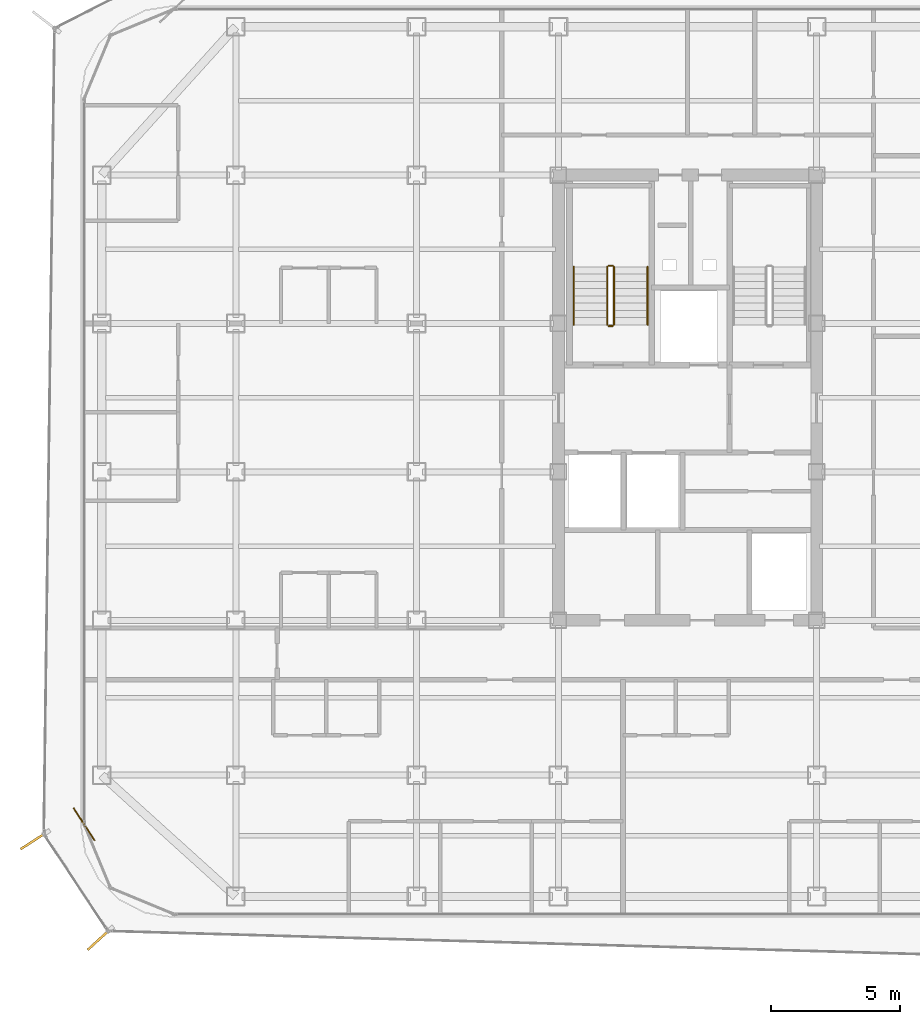
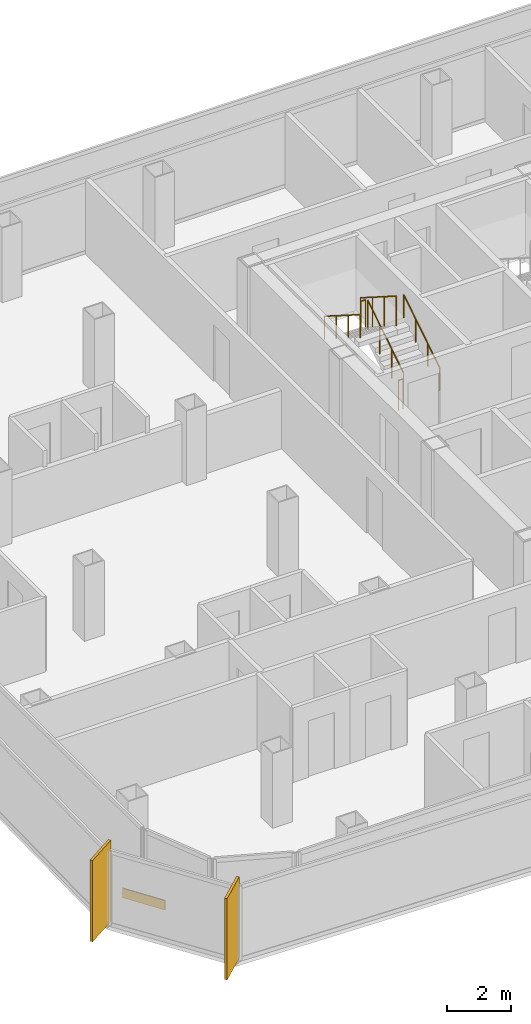
# One storey, part 13 of 15: 6 railings, 2 shading devices, 1 covering.
"""IFC4 building model written with IfcOpenShell, lengths in metres."""

from ifc_helpers import new_model, si_unit, direction, frame, origin, origin_2d, place, context, subcontext, project, spatial, rectangle, circle, extrude, source, transform, mapped, material, layer, layer_set, type_object, element, save


model = new_model("IFC4")

# Units and contexts
model_context = context("Model", 3, precision=1e-05, world=origin(), true_north=direction((0.0, 1.0)))
body_context = subcontext(model_context, "Body", "Model", "MODEL_VIEW")
ifc_project = project(units=[si_unit("LENGTHUNIT", "METRE"), si_unit("AREAUNIT", "SQUARE_METRE"), si_unit("VOLUMEUNIT", "CUBIC_METRE"), si_unit("PLANEANGLEUNIT", "RADIAN"), si_unit("MASSUNIT", "GRAM", prefix="KILO")], contexts=[model_context])

# Site, building, storey
site_placement = place(None, origin())
site = spatial("IfcSite", under=ifc_project, at=site_placement, CompositionType="ELEMENT")
building_placement = place(site_placement, origin())
building = spatial("IfcBuilding", under=site, at=building_placement, Name="Kolveth Station Tower", CompositionType="ELEMENT")
storey_placement = place(building_placement, frame((0.0, 0.0, 184.89990234375)))
storey = spatial("IfcBuildingStorey", under=building, at=storey_placement, Name="L52", CompositionType="ELEMENT", Elevation=184.89990234375)

# Railings
ifc_material_1 = material(Name="Painted Steel S355 balustrade", Category="steel")
railing_type_1 = type_object("IfcRailingType", Name="Guard_GR2", PredefinedType="BALUSTRADE", material=ifc_material_1)
railing_1_placement = place(storey_placement, frame((20.64990234375, 22.949951171875, 0.177978515625)))
element("IfcRailing", 1, at=railing_1_placement, inside=storey, type_object=railing_type_1, Name="L52 ST1 stair guard 1", PredefinedType="BALUSTRADE", context=body_context, shape_type="SweptSolid", body=[
    extrude(circle(Radius=0.02392578125, at=origin_2d()), frame((0.0, 0.0, 1.1259765625), z_axis=(0.0, 0.8442293374, 0.53598211339), x_axis=(-1.0, 0.0, 0.0)), (0.0, 0.0, 1.0), 2.6533203125),
    extrude(circle(Radius=0.02099609375, at=origin_2d()), origin(), (0.0, 0.0, 1.0), 1.101806640625),
    extrude(circle(Radius=0.02099609375, at=origin_2d()), frame((0.0, 0.74658203125, 0.47412109375)), (0.0, 0.0, 1.0), 1.101806640625),
    extrude(circle(Radius=0.02099609375, at=origin_2d()), frame((0.0, 1.493408203125, 0.947998046875)), (0.0, 0.0, 1.0), 1.101806640625),
    extrude(circle(Radius=0.02099609375, at=origin_2d()), frame((0.0, 2.239990234375, 1.422119140625)), (0.0, 0.0, 1.0), 1.101806640625),
])
railing_2_placement = place(storey_placement, frame((20.60009765625, 25.239990234375, 1.60009765625)))
element("IfcRailing", 2, at=railing_2_placement, inside=storey, type_object=railing_type_1, Name="L52 ST1 stair guard 2", PredefinedType="BALUSTRADE", context=body_context, shape_type="SweptSolid", body=[
    extrude(circle(Radius=0.02392578125, at=origin_2d()), frame((0.0, 0.0, 1.1259765625), z_axis=(-1.0, 0.0, 0.0), x_axis=(0.0, -1.0, 0.0)), (0.0, 0.0, 1.0), 0.16015625),
    extrude(circle(Radius=0.02099609375, at=origin_2d()), origin(), (0.0, 0.0, 1.0), 1.101806640625),
    extrude(circle(Radius=0.02099609375, at=origin_2d()), frame((-0.16015625, 0.0, 0.0)), (0.0, 0.0, 1.0), 1.101806640625),
])
railing_3_placement = place(storey_placement, frame((20.389892578125, 25.18994140625, 1.77783203125)))
element("IfcRailing", 3, at=railing_3_placement, inside=storey, type_object=railing_type_1, Name="L52 ST1 stair guard 3", PredefinedType="BALUSTRADE", context=body_context, shape_type="SweptSolid", body=[
    extrude(circle(Radius=0.02392578125, at=origin_2d()), frame((0.0, 0.0, 1.1259765625), z_axis=(0.0, -0.84418770128, 0.536047689118), x_axis=(1.0, 0.0, 0.0)), (0.0, 0.0, 1.0), 2.6533203125),
    extrude(circle(Radius=0.02099609375, at=origin_2d()), origin(), (0.0, 0.0, 1.0), 1.101806640625),
    extrude(circle(Radius=0.02099609375, at=origin_2d()), frame((0.0, -0.74658203125, 0.47412109375)), (0.0, 0.0, 1.0), 1.101806640625),
    extrude(circle(Radius=0.02099609375, at=origin_2d()), frame((0.0, -1.493408203125, 0.9482421875)), (0.0, 0.0, 1.0), 1.101806640625),
    extrude(circle(Radius=0.02099609375, at=origin_2d()), frame((0.0, -2.239990234375, 1.42236328125)), (0.0, 0.0, 1.0), 1.101806640625),
])
railing_4_placement = place(storey_placement, frame((20.60009765625, 22.89990234375, 0.0)))
element("IfcRailing", 4, at=railing_4_placement, inside=storey, type_object=railing_type_1, Name="L52 ST1 stair guard 4", PredefinedType="BALUSTRADE", context=body_context, shape_type="SweptSolid", body=[
    extrude(circle(Radius=0.02392578125, at=origin_2d()), frame((0.0, 0.0, 1.1259765625), z_axis=(-1.0, 0.0, 0.0), x_axis=(0.0, -1.0, 0.0)), (0.0, 0.0, 1.0), 0.16015625),
    extrude(circle(Radius=0.02099609375, at=origin_2d()), origin(), (0.0, 0.0, 1.0), 1.101806640625),
    extrude(circle(Radius=0.02099609375, at=origin_2d()), frame((-0.16015625, 0.0, 0.0)), (0.0, 0.0, 1.0), 1.101806640625),
])
ifc_material_2 = material(Name="Brushed stainless steel", Category="steel")
railing_type_2 = type_object("IfcRailingType", Name="Handrail_HR1", PredefinedType="HANDRAIL", material=ifc_material_2)
railing_5_placement = place(storey_placement, frame((21.949951171875, 22.949951171875, 0.177978515625)))
element("IfcRailing", 5, at=railing_5_placement, inside=storey, type_object=railing_type_2, Name="L52 ST1 stair handrail 1", PredefinedType="HANDRAIL", context=body_context, shape_type="SweptSolid", body=[
    extrude(circle(Radius=0.02392578125, at=origin_2d()), frame((0.0, 0.0, 0.8759765625), z_axis=(0.0, 0.8442293374, 0.53598211339), x_axis=(-1.0, 0.0, 0.0)), (0.0, 0.0, 1.0), 2.6533203125),
    extrude(circle(Radius=0.02099609375, at=origin_2d()), origin(), (0.0, 0.0, 1.0), 0.851806640625),
    extrude(circle(Radius=0.02099609375, at=origin_2d()), frame((0.0, 0.74658203125, 0.47412109375)), (0.0, 0.0, 1.0), 0.851806640625),
    extrude(circle(Radius=0.02099609375, at=origin_2d()), frame((0.0, 1.493408203125, 0.947998046875)), (0.0, 0.0, 1.0), 0.851806640625),
    extrude(circle(Radius=0.02099609375, at=origin_2d()), frame((0.0, 2.239990234375, 1.422119140625)), (0.0, 0.0, 1.0), 0.851806640625),
])
railing_6_placement = place(storey_placement, frame((19.090087890625, 25.18994140625, 1.77783203125)))
element("IfcRailing", 6, at=railing_6_placement, inside=storey, type_object=railing_type_2, Name="L52 ST1 stair handrail 2", PredefinedType="HANDRAIL", context=body_context, shape_type="SweptSolid", body=[
    extrude(circle(Radius=0.02392578125, at=origin_2d()), frame((0.0, 0.0, 0.8759765625), z_axis=(0.0, -0.84418770128, 0.536047689118), x_axis=(1.0, 0.0, 0.0)), (0.0, 0.0, 1.0), 2.6533203125),
    extrude(circle(Radius=0.02099609375, at=origin_2d()), origin(), (0.0, 0.0, 1.0), 0.851806640625),
    extrude(circle(Radius=0.02099609375, at=origin_2d()), frame((0.0, -0.74658203125, 0.47412109375)), (0.0, 0.0, 1.0), 0.851806640625),
    extrude(circle(Radius=0.02099609375, at=origin_2d()), frame((0.0, -1.493408203125, 0.9482421875)), (0.0, 0.0, 1.0), 0.851806640625),
    extrude(circle(Radius=0.02099609375, at=origin_2d()), frame((0.0, -2.239990234375, 1.42236328125)), (0.0, 0.0, 1.0), 0.851806640625),
])

# Shading devices
ifc_material_3 = material(Name="Black anodized aluminium 6063-T6", Category="aluminium")
shading_device_type = type_object("IfcShadingDeviceType", Name="FIN_VF1", PredefinedType="USERDEFINED", material=ifc_material_3)
shared_shape_1 = source(origin(), body_context, "Body", "SweptSolid", [
    extrude(rectangle(XDim=1.25, YDim=0.090087890625, at=origin_2d()), origin(), (0.0, 0.0, 1.0), 3.10009765625),
])
for number, where, z_axis, x_axis, name in (
    (7, (-1.81201171875, 2.972900390625, 0.0), (0.0, 0.0, 1.0), (-0.839904154905, -0.542734751581, 0.0), "L52 Dark-Aluminium Solar Fin 7"),
    (8, (0.720947265625, -0.845947265625, 0.0), (0.0, 0.0, 1.0), (-0.737159412846, -0.675718876495, 0.0), "L52 Dark-Aluminium Solar Fin 8"),
):
    element("IfcShadingDevice", number, at=place(storey_placement, frame(where, z_axis=z_axis, x_axis=x_axis)), inside=storey, type_object=shading_device_type, Name=name, ObjectType="FIN", PredefinedType="USERDEFINED", context=body_context, shape_type="MappedRepresentation", body=[
        mapped(shared_shape_1, transform((0.0, 0.0, 0.0), x_axis=(1.0, 0.0, 0.0), y_axis=(0.0, 1.0, 0.0), z_axis=(0.0, 0.0, 1.0), scale=1.0)),
    ])

# Covering
ifc_material_4 = material(Name="Charcoal anodized aluminium spandrel cladding", Category="aluminium")
ifc_layer = layer(ifc_material_4, 0.044921875)
ifc_layer_set = layer_set([ifc_layer], Name="Charcoal anodized aluminium spandrel cladding")
covering_type = type_object("IfcCoveringType", Name="Clad_CD1", PredefinedType="CLADDING", material=ifc_layer_set)
shared_shape_2 = source(origin(), body_context, "Body", "SweptSolid", [
    extrude(rectangle(XDim=1.5, YDim=0.044921875, at=origin_2d()), origin(), (0.0, 0.0, 1.0), 0.360107421875),
])
covering_placement = place(storey_placement, frame((0.1201171875, 3.60009765625, 0.0), z_axis=(0.0, 0.0, 1.0), x_axis=(0.542734751581, -0.839904154905, 0.0)))
element("IfcCovering", 9, at=covering_placement, inside=storey, type_object=covering_type, Name="L52 Spandrel Edge Cladding 7", PredefinedType="CLADDING", context=body_context, shape_type="MappedRepresentation", body=[
    mapped(shared_shape_2, transform((0.0, 0.0, 0.0), x_axis=(1.0, 0.0, 0.0), y_axis=(0.0, 1.0, 0.0), z_axis=(0.0, 0.0, 1.0), scale=1.0)),
])

save(model, "model.ifc")
